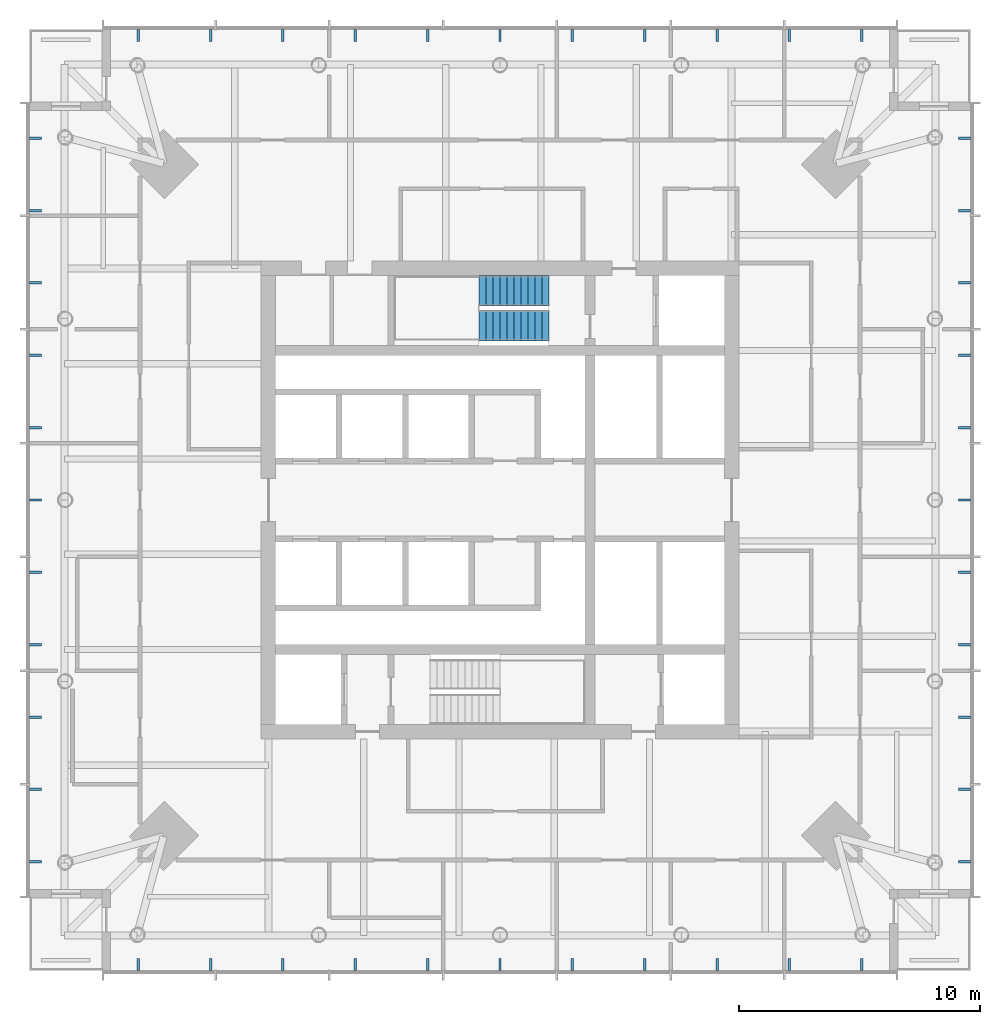
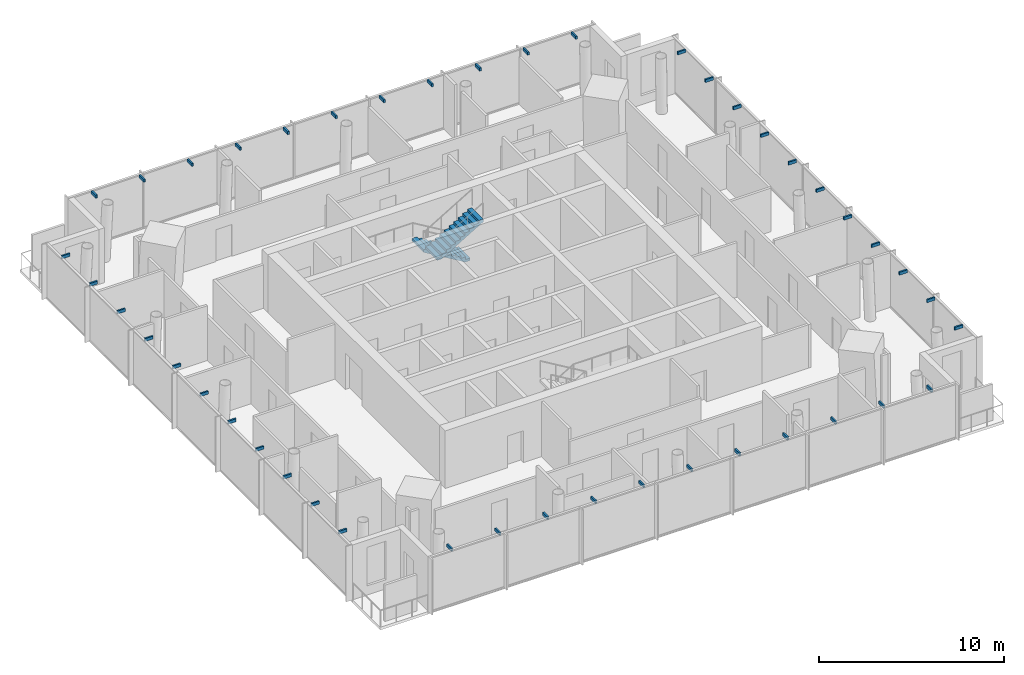
# One storey, part 8 of 9: 44 discrete accessories, 2 stair flights, 1 element without a shape of its own.
"""IFC4 building model written with IfcOpenShell, lengths in metres."""

from ifc_helpers import new_model, si_unit, direction, frame, origin, origin_2d, place, context, subcontext, project, spatial, polyline, rectangle, outline, extrude, material, type_object, element, aggregate, save


model = new_model("IFC4")

# Units and contexts
model_context = context("Model", 3, precision=1e-05, world=origin(), true_north=direction((0.0, 1.0)))
body_context = subcontext(model_context, "Body", "Model", "MODEL_VIEW")
ifc_project = project(units=[si_unit("LENGTHUNIT", "METRE"), si_unit("AREAUNIT", "SQUARE_METRE"), si_unit("VOLUMEUNIT", "CUBIC_METRE"), si_unit("PLANEANGLEUNIT", "RADIAN"), si_unit("MASSUNIT", "GRAM", prefix="KILO")], contexts=[model_context])

# Site, building, storey
site_placement = place(None, origin())
site = spatial("IfcSite", under=ifc_project, at=site_placement, CompositionType="ELEMENT")
building_placement = place(site_placement, origin())
building = spatial("IfcBuilding", under=site, at=building_placement, Name="Ostroluk Exchange", CompositionType="ELEMENT")
storey_placement = place(building_placement, frame((0.0, 0.0, 207.199951171875)))
storey = spatial("IfcBuildingStorey", under=building, at=storey_placement, Name="L53", CompositionType="ELEMENT", Elevation=207.199951171875)

# Stair, stair flights
ifc_material_1 = material(Name="Concrete C30/37", Category="concrete")
stair_type = type_object("IfcStairType", Name="Exit stair half turn 3800", PredefinedType="HALF_TURN_STAIR", material=ifc_material_1)
stair_placement = place(storey_placement, origin())
stair = element("IfcStair", 1, at=stair_placement, inside=storey, type_object=stair_type, Name="Stair T1-S2 L53", PredefinedType="HALF_TURN_STAIR")
ifc_material_2 = material(Name="Concrete C30/37", Category="concrete")
stair_flight_type = type_object("IfcStairFlightType", Name="Stair flight 11 risers 172.7 x 290", PredefinedType="STRAIGHT", material=ifc_material_2)
stair_flight_1_placement = place(storey_placement, frame((47.030029296875, 54.675048828125, 0.0), z_axis=(0.0, 0.0, 1.0), x_axis=(-1.0, 0.0, 0.0)))
stair_flight_1 = element("IfcStairFlight", 2, at=stair_flight_1_placement, type_object=stair_flight_type, Name="T1-S2 flight 1", NumberOfRisers=11, NumberOfTreads=10, PredefinedType="STRAIGHT", RiserHeight=0.172727273, TreadLength=0.29, context=body_context, shape_type="SweptSolid", body=[
    extrude(outline(polyline([(0.0, 0.0), (0.0, 0.172607421875), (0.2900390625, 0.172607421875), (0.2900390625, 0.345458984375), (0.580078125, 0.345458984375), (0.580078125, 0.51806640625), (0.8701171875, 0.51806640625), (0.8701171875, 0.69091796875), (1.159912109375, 0.69091796875), (1.159912109375, 0.863525390625), (1.449951171875, 0.863525390625), (1.449951171875, 1.036376953125), (1.739990234375, 1.036376953125), (1.739990234375, 1.208984375), (2.030029296875, 1.208984375), (2.030029296875, 1.3818359375), (2.320068359375, 1.3818359375), (2.320068359375, 1.554443359375), (2.610107421875, 1.554443359375), (2.610107421875, 1.727294921875), (2.89990234375, 1.727294921875), (2.89990234375, 1.89990234375), (2.89990234375, 1.552734375), (0.29296875, 0.0), (0.0, 0.0)])), frame((0.0, 0.625, 0.0), z_axis=(0.0, -1.0, 0.0), x_axis=(1.0, 0.0, 0.0)), (0.0, 0.0, 1.0), 1.25),
])
stair_flight_2_placement = place(storey_placement, frame((44.1298828125, 53.22509765625, 1.900146484375), z_axis=(0.0, 0.0, 1.0), x_axis=(1.0, 0.0, 0.0)))
stair_flight_2 = element("IfcStairFlight", 3, at=stair_flight_2_placement, type_object=stair_flight_type, Name="T1-S2 flight 2", NumberOfRisers=11, NumberOfTreads=10, PredefinedType="STRAIGHT", RiserHeight=0.172727273, TreadLength=0.29, context=body_context, shape_type="SweptSolid", body=[
    extrude(outline(polyline([(0.0, 0.0), (0.0, 0.172607421875), (0.2900390625, 0.172607421875), (0.2900390625, 0.345458984375), (0.580078125, 0.345458984375), (0.580078125, 0.51806640625), (0.8701171875, 0.51806640625), (0.8701171875, 0.69091796875), (1.159912109375, 0.69091796875), (1.159912109375, 0.863525390625), (1.449951171875, 0.863525390625), (1.449951171875, 1.036376953125), (1.739990234375, 1.036376953125), (1.739990234375, 1.208984375), (2.030029296875, 1.208984375), (2.030029296875, 1.3818359375), (2.320068359375, 1.3818359375), (2.320068359375, 1.554443359375), (2.610107421875, 1.554443359375), (2.610107421875, 1.727294921875), (2.89990234375, 1.727294921875), (2.89990234375, 1.89990234375), (2.89990234375, 1.552734375), (0.29296875, 0.0), (0.0, 0.0)])), frame((0.0, 0.625, 0.0), z_axis=(0.0, -1.0, 0.0), x_axis=(1.0, 0.0, 0.0)), (0.0, 0.0, 1.0), 1.25),
])
aggregate(stair, [stair_flight_1, stair_flight_2])

# Discrete accessories
ifc_material_3 = material(Name="Steel S355", Category="steel")
discrete_accessory_type = type_object("IfcDiscreteAccessoryType", Name="Maintenance roof bracket", PredefinedType="BRACKET", material=ifc_material_3)
for number, where, z_axis, x_axis, name in (
    (4, (30.0, 26.75, 3.4501953125), (0.0, 0.0, 1.0), (1.0, 0.0, 0.0), "Maintenance roof bracket L54 south 1"),
    (5, (33.0, 26.75, 3.4501953125), (0.0, 0.0, 1.0), (1.0, 0.0, 0.0), "Maintenance roof bracket L54 south 2"),
    (6, (36.0, 26.75, 3.4501953125), (0.0, 0.0, 1.0), (1.0, 0.0, 0.0), "Maintenance roof bracket L54 south 3"),
    (7, (39.0, 26.75, 3.4501953125), (0.0, 0.0, 1.0), (1.0, 0.0, 0.0), "Maintenance roof bracket L54 south 4"),
    (8, (42.0, 26.75, 3.4501953125), (0.0, 0.0, 1.0), (1.0, 0.0, 0.0), "Maintenance roof bracket L54 south 5"),
    (9, (45.0, 26.75, 3.4501953125), (0.0, 0.0, 1.0), (1.0, 0.0, 0.0), "Maintenance roof bracket L54 south 6"),
    (10, (48.0, 26.75, 3.4501953125), (0.0, 0.0, 1.0), (1.0, 0.0, 0.0), "Maintenance roof bracket L54 south 7"),
    (11, (51.0, 26.75, 3.4501953125), (0.0, 0.0, 1.0), (1.0, 0.0, 0.0), "Maintenance roof bracket L54 south 8"),
    (12, (54.0, 26.75, 3.4501953125), (0.0, 0.0, 1.0), (1.0, 0.0, 0.0), "Maintenance roof bracket L54 south 9"),
    (13, (57.0, 26.75, 3.4501953125), (0.0, 0.0, 1.0), (1.0, 0.0, 0.0), "Maintenance roof bracket L54 south 10"),
    (14, (60.0, 26.75, 3.4501953125), (0.0, 0.0, 1.0), (1.0, 0.0, 0.0), "Maintenance roof bracket L54 south 11"),
):
    element("IfcDiscreteAccessory", number, at=place(storey_placement, frame(where, z_axis=z_axis, x_axis=x_axis)), inside=storey, type_object=discrete_accessory_type, Name=name, PredefinedType="BRACKET", context=body_context, shape_type="SweptSolid", body=[
        extrude(rectangle(XDim=0.10009765625, YDim=0.5, at=origin_2d()), origin(), (0.0, 0.0, 1.0), 0.199951171875),
    ])
for number, where, z_axis, x_axis, name in (
    (15, (64.25, 31.0, 3.4501953125), (0.0, 0.0, 1.0), (1.0, 0.0, 0.0), "Maintenance roof bracket L54 east 1"),
    (16, (64.25, 34.0, 3.4501953125), (0.0, 0.0, 1.0), (1.0, 0.0, 0.0), "Maintenance roof bracket L54 east 2"),
    (17, (64.25, 37.0, 3.4501953125), (0.0, 0.0, 1.0), (1.0, 0.0, 0.0), "Maintenance roof bracket L54 east 3"),
    (18, (64.25, 40.0, 3.4501953125), (0.0, 0.0, 1.0), (1.0, 0.0, 0.0), "Maintenance roof bracket L54 east 4"),
    (19, (64.25, 43.0, 3.4501953125), (0.0, 0.0, 1.0), (1.0, 0.0, 0.0), "Maintenance roof bracket L54 east 5"),
    (20, (64.25, 46.0, 3.4501953125), (0.0, 0.0, 1.0), (1.0, 0.0, 0.0), "Maintenance roof bracket L54 east 6"),
    (21, (64.25, 49.0, 3.4501953125), (0.0, 0.0, 1.0), (1.0, 0.0, 0.0), "Maintenance roof bracket L54 east 7"),
    (22, (64.25, 52.0, 3.4501953125), (0.0, 0.0, 1.0), (1.0, 0.0, 0.0), "Maintenance roof bracket L54 east 8"),
    (23, (64.25, 55.0, 3.4501953125), (0.0, 0.0, 1.0), (1.0, 0.0, 0.0), "Maintenance roof bracket L54 east 9"),
    (24, (64.25, 58.0, 3.4501953125), (0.0, 0.0, 1.0), (1.0, 0.0, 0.0), "Maintenance roof bracket L54 east 10"),
    (25, (64.25, 61.0, 3.4501953125), (0.0, 0.0, 1.0), (1.0, 0.0, 0.0), "Maintenance roof bracket L54 east 11"),
):
    element("IfcDiscreteAccessory", number, at=place(storey_placement, frame(where, z_axis=z_axis, x_axis=x_axis)), inside=storey, type_object=discrete_accessory_type, Name=name, PredefinedType="BRACKET", context=body_context, shape_type="SweptSolid", body=[
        extrude(rectangle(XDim=0.5, YDim=0.10009765625, at=origin_2d()), origin(), (0.0, 0.0, 1.0), 0.199951171875),
    ])
for number, where, z_axis, x_axis, name in (
    (26, (30.0, 65.25, 3.4501953125), (0.0, 0.0, 1.0), (1.0, 0.0, 0.0), "Maintenance roof bracket L54 north 1"),
    (27, (33.0, 65.25, 3.4501953125), (0.0, 0.0, 1.0), (1.0, 0.0, 0.0), "Maintenance roof bracket L54 north 2"),
    (28, (36.0, 65.25, 3.4501953125), (0.0, 0.0, 1.0), (1.0, 0.0, 0.0), "Maintenance roof bracket L54 north 3"),
    (29, (39.0, 65.25, 3.4501953125), (0.0, 0.0, 1.0), (1.0, 0.0, 0.0), "Maintenance roof bracket L54 north 4"),
    (30, (42.0, 65.25, 3.4501953125), (0.0, 0.0, 1.0), (1.0, 0.0, 0.0), "Maintenance roof bracket L54 north 5"),
    (31, (45.0, 65.25, 3.4501953125), (0.0, 0.0, 1.0), (1.0, 0.0, 0.0), "Maintenance roof bracket L54 north 6"),
    (32, (48.0, 65.25, 3.4501953125), (0.0, 0.0, 1.0), (1.0, 0.0, 0.0), "Maintenance roof bracket L54 north 7"),
    (33, (51.0, 65.25, 3.4501953125), (0.0, 0.0, 1.0), (1.0, 0.0, 0.0), "Maintenance roof bracket L54 north 8"),
    (34, (54.0, 65.25, 3.4501953125), (0.0, 0.0, 1.0), (1.0, 0.0, 0.0), "Maintenance roof bracket L54 north 9"),
    (35, (57.0, 65.25, 3.4501953125), (0.0, 0.0, 1.0), (1.0, 0.0, 0.0), "Maintenance roof bracket L54 north 10"),
    (36, (60.0, 65.25, 3.4501953125), (0.0, 0.0, 1.0), (1.0, 0.0, 0.0), "Maintenance roof bracket L54 north 11"),
):
    element("IfcDiscreteAccessory", number, at=place(storey_placement, frame(where, z_axis=z_axis, x_axis=x_axis)), inside=storey, type_object=discrete_accessory_type, Name=name, PredefinedType="BRACKET", context=body_context, shape_type="SweptSolid", body=[
        extrude(rectangle(XDim=0.10009765625, YDim=0.5, at=origin_2d()), origin(), (0.0, 0.0, 1.0), 0.199951171875),
    ])
for number, where, z_axis, x_axis, name in (
    (37, (25.75, 31.0, 3.4501953125), (0.0, 0.0, 1.0), (1.0, 0.0, 0.0), "Maintenance roof bracket L54 west 1"),
    (38, (25.75, 34.0, 3.4501953125), (0.0, 0.0, 1.0), (1.0, 0.0, 0.0), "Maintenance roof bracket L54 west 2"),
    (39, (25.75, 37.0, 3.4501953125), (0.0, 0.0, 1.0), (1.0, 0.0, 0.0), "Maintenance roof bracket L54 west 3"),
    (40, (25.75, 40.0, 3.4501953125), (0.0, 0.0, 1.0), (1.0, 0.0, 0.0), "Maintenance roof bracket L54 west 4"),
    (41, (25.75, 43.0, 3.4501953125), (0.0, 0.0, 1.0), (1.0, 0.0, 0.0), "Maintenance roof bracket L54 west 5"),
    (42, (25.75, 46.0, 3.4501953125), (0.0, 0.0, 1.0), (1.0, 0.0, 0.0), "Maintenance roof bracket L54 west 6"),
    (43, (25.75, 49.0, 3.4501953125), (0.0, 0.0, 1.0), (1.0, 0.0, 0.0), "Maintenance roof bracket L54 west 7"),
    (44, (25.75, 52.0, 3.4501953125), (0.0, 0.0, 1.0), (1.0, 0.0, 0.0), "Maintenance roof bracket L54 west 8"),
    (45, (25.75, 55.0, 3.4501953125), (0.0, 0.0, 1.0), (1.0, 0.0, 0.0), "Maintenance roof bracket L54 west 9"),
    (46, (25.75, 58.0, 3.4501953125), (0.0, 0.0, 1.0), (1.0, 0.0, 0.0), "Maintenance roof bracket L54 west 10"),
    (47, (25.75, 61.0, 3.4501953125), (0.0, 0.0, 1.0), (1.0, 0.0, 0.0), "Maintenance roof bracket L54 west 11"),
):
    element("IfcDiscreteAccessory", number, at=place(storey_placement, frame(where, z_axis=z_axis, x_axis=x_axis)), inside=storey, type_object=discrete_accessory_type, Name=name, PredefinedType="BRACKET", context=body_context, shape_type="SweptSolid", body=[
        extrude(rectangle(XDim=0.5, YDim=0.10009765625, at=origin_2d()), origin(), (0.0, 0.0, 1.0), 0.199951171875),
    ])

save(model, "model.ifc")
